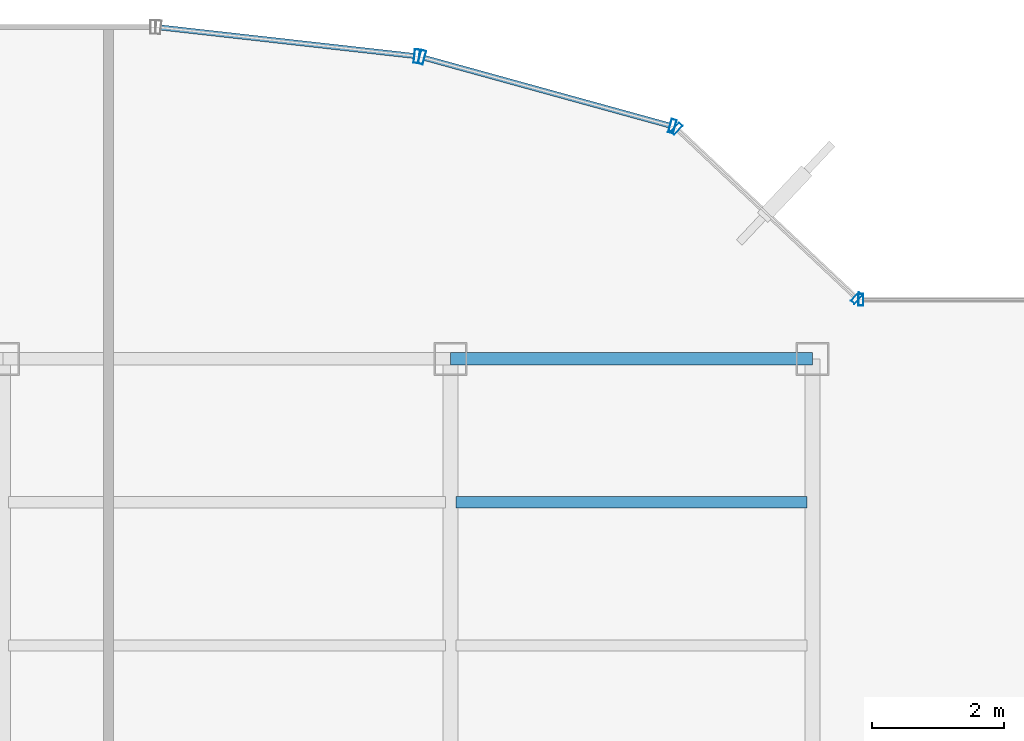
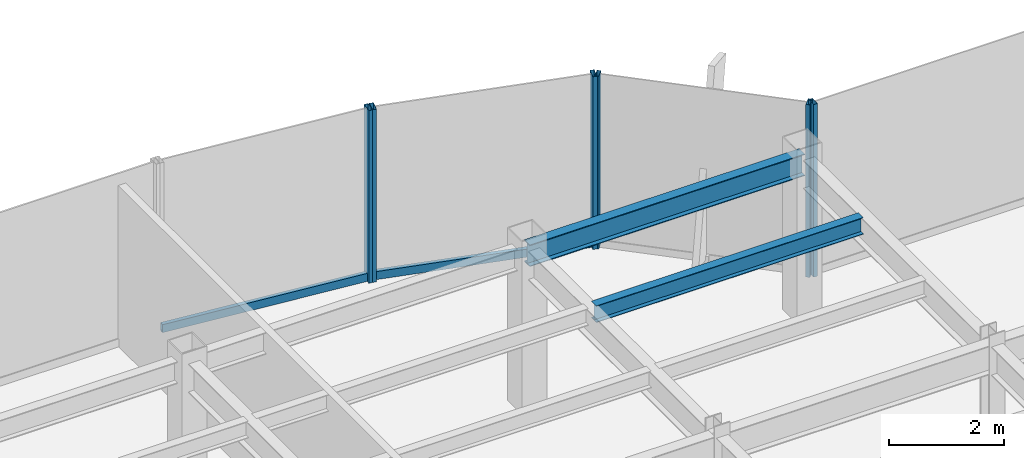
# One storey, part 14 of 22: 8 members, 2 beams, 4 elements without a shape of their own.
"""IFC4 building model written with IfcOpenShell, lengths in metres."""

import ifcopenshell
import ifcopenshell.guid

model = None  # the IFC model being written
_history = None  # IfcOwnerHistory: only IFC2X3 demands one
_inside = {}  # id of a spatial element -> (the spatial element, [elements in it])
_under = {}  # id of a project, library or spatial element -> (it, [spatial elements below it])
_declared = {}  # id of a project -> (the project, [libraries it declares])
_typed = {}  # id of a type object -> (the type object, [elements of that type])
_made_of = {}  # id of a material, layer set ... -> (it, [elements and type objects made of it])


def new_model(schema):
    """Start an empty IFC model of exactly this schema.

    Asked for "IFC4X3", IfcOpenShell would pick the latest addendum, in which some entities
    have other attributes; the version numbers below select the first issue.
    IFC2X3 requires an IfcOwnerHistory on every rooted entity: one is made here for all.
    """
    global model, _history
    if schema == "IFC4X3":
        model = ifcopenshell.file(schema_version=(4, 3, 0, 0))
    else:
        model = ifcopenshell.file(schema=schema)
    _inside.clear()
    _under.clear()
    _declared.clear()
    _typed.clear()
    _made_of.clear()
    _history = None
    if model.schema == "IFC2X3":
        org = make("IfcOrganization", Name="unknown")
        user = make(
            "IfcPersonAndOrganization",
            ThePerson=make("IfcPerson", FamilyName="unknown"),
            TheOrganization=org,
        )
        app = make(
            "IfcApplication",
            ApplicationDeveloper=org,
            Version="unknown",
            ApplicationFullName="unknown",
            ApplicationIdentifier="unknown",
        )
        _history = make(
            "IfcOwnerHistory",
            OwningUser=user,
            OwningApplication=app,
            ChangeAction="ADDED",
            CreationDate=0,
        )
    return model


def make(cls, **values):
    """One entity of the class cls with the attributes given. An attribute that is None is left unset."""
    return model.create_entity(
        cls, **{name: value for name, value in values.items() if value is not None}
    )


def rooted(cls, **values):
    """An entity with a GlobalId (a new one), such as an element, a storey or a relation."""
    return make(cls, GlobalId=ifcopenshell.guid.new(), OwnerHistory=_history, **values)


def si_unit(unit_type, name, prefix=None):
    """IfcSIUnit, for example si_unit("LENGTHUNIT", "METRE", prefix="MILLI")."""
    return make("IfcSIUnit", UnitType=unit_type, Prefix=prefix, Name=name)


def derived_unit(unit_type, elements):
    """IfcDerivedUnit: a product of units, each with its exponent."""
    return make(
        "IfcDerivedUnit",
        Elements=[
            make("IfcDerivedUnitElement", Unit=unit, Exponent=power)
            for unit, power in elements
        ],
        UnitType=unit_type,
    )


def assignment(units):
    """IfcUnitAssignment: the units of a project."""
    return None if units is None else make("IfcUnitAssignment", Units=units)


def point(xyz):
    """IfcCartesianPoint."""
    return None if xyz is None else make("IfcCartesianPoint", Coordinates=xyz)


def direction(xyz):
    """IfcDirection."""
    return None if xyz is None else make("IfcDirection", DirectionRatios=xyz)


def frame(location, z_axis=None, x_axis=None):
    """IfcAxis2Placement3D, a coordinate frame: its origin and axes. An axis left out is left unset."""
    return make(
        "IfcAxis2Placement3D",
        Location=point(location),
        Axis=direction(z_axis),
        RefDirection=direction(x_axis),
    )


def frame_2d(location, x_axis=None):
    """IfcAxis2Placement2D, a coordinate frame in the plane: its origin and x axis."""
    return make(
        "IfcAxis2Placement2D", Location=point(location), RefDirection=direction(x_axis)
    )


def origin():
    """The frame at (0, 0, 0) with its axes left unset."""
    return frame((0.0, 0.0, 0.0))


def origin_2d():
    """The frame at (0, 0) in the plane with its x axis left unset."""
    return frame_2d((0.0, 0.0))


def place(relative_to, where):
    """IfcLocalPlacement: puts the frame where relative to a parent placement (None: the world)."""
    return make(
        "IfcLocalPlacement", PlacementRelTo=relative_to, RelativePlacement=where
    )


def context(
    kind, dimensions, precision=None, world=None, true_north=None, identifier=None
):
    """IfcGeometricRepresentationContext, for example the 3D "Model" context."""
    return make(
        "IfcGeometricRepresentationContext",
        ContextIdentifier=identifier,
        ContextType=kind,
        CoordinateSpaceDimension=dimensions,
        Precision=precision,
        WorldCoordinateSystem=world,
        TrueNorth=true_north,
    )


def subcontext(parent, identifier, kind, view, scale=None):
    """IfcGeometricRepresentationSubContext, for example "Body" below "Model"."""
    return make(
        "IfcGeometricRepresentationSubContext",
        ContextIdentifier=identifier,
        ContextType=kind,
        ParentContext=parent,
        TargetScale=scale,
        TargetView=view,
    )


def project(units=None, contexts=None):
    """IfcProject with its units and contexts."""
    return rooted(
        "IfcProject",
        Name="project",
        RepresentationContexts=contexts,
        UnitsInContext=assignment(units),
    )


def spatial(cls, under=None, at=None, **own):
    """A site, building, storey or space (cls), placed at a placement, below another one or the project."""
    s = rooted(cls, ObjectPlacement=at, **own)
    if under is not None:
        _under.setdefault(under.id(), (under, []))[1].append(s)
    return s


def profile(cls, at=None, kind="AREA", **sizes):
    """A parametric profile (cls). Its sizes go by their IFC names, for example OverallWidth=200.0."""
    return make(cls, ProfileType=kind, Position=at, **sizes)


def hollow_rectangle(**sizes):
    """IfcRectangleHollowProfileDef."""
    return profile("IfcRectangleHollowProfileDef", **sizes)


def i_section(**sizes):
    """IfcIShapeProfileDef."""
    return profile("IfcIShapeProfileDef", **sizes)


def extrude(swept, where, along, depth):
    """IfcExtrudedAreaSolid: the profile swept, set in the frame where, extruded along a direction by depth."""
    return make(
        "IfcExtrudedAreaSolid",
        SweptArea=swept,
        Position=where,
        ExtrudedDirection=direction(along),
        Depth=depth,
    )


def shape(context_of_items, identifier, shape_type, items):
    """IfcShapeRepresentation: the items that make up one representation, for example the "Body"."""
    return make(
        "IfcShapeRepresentation",
        ContextOfItems=context_of_items,
        RepresentationIdentifier=identifier,
        RepresentationType=shape_type,
        Items=items,
    )


def source(mapping_origin, context_of_items, identifier, shape_type, items):
    """IfcRepresentationMap: a shape defined once, which mapped items show again and again."""
    return make(
        "IfcRepresentationMap",
        MappingOrigin=mapping_origin,
        MappedRepresentation=shape(context_of_items, identifier, shape_type, items),
    )


def transform(
    local_origin,
    x_axis=None,
    y_axis=None,
    z_axis=None,
    scale=None,
    scale2=None,
    scale3=None,
    uniform=True,
):
    """IfcCartesianTransformationOperator3D, or its non-uniform kind. x_axis, y_axis, z_axis: its Axis1, 2, 3."""
    if uniform:
        return make(
            "IfcCartesianTransformationOperator3D",
            Axis1=direction(x_axis),
            Axis2=direction(y_axis),
            LocalOrigin=point(local_origin),
            Scale=scale,
            Axis3=direction(z_axis),
        )
    return make(
        "IfcCartesianTransformationOperator3DnonUniform",
        Axis1=direction(x_axis),
        Axis2=direction(y_axis),
        LocalOrigin=point(local_origin),
        Scale=scale,
        Axis3=direction(z_axis),
        Scale2=scale2,
        Scale3=scale3,
    )


def mapped(mapping_source, mapping_target):
    """IfcMappedItem: shows the shape of a source again, moved by a transform."""
    return make(
        "IfcMappedItem", MappingSource=mapping_source, MappingTarget=mapping_target
    )


def material(Name=None, Category=None):
    """IfcMaterial."""
    return make("IfcMaterial", Name=Name, Category=Category)


def material_profile(
    of_material, cross_section, Name=None, Category=None, Priority=None
):
    """IfcMaterialProfile: a cross section and its material."""
    return make(
        "IfcMaterialProfile",
        Name=Name,
        Material=of_material,
        Profile=cross_section,
        Priority=Priority,
        Category=Category,
    )


def profile_set(profiles, Name=None, composite=None):
    """IfcMaterialProfileSet."""
    return make(
        "IfcMaterialProfileSet",
        Name=Name,
        MaterialProfiles=profiles,
        CompositeProfile=composite,
    )


def made_of(thing, what):
    """Note that an element or type object is made of a material, layer set ...; save() writes the relation."""
    if what is not None:
        _made_of.setdefault(what.id(), (what, []))[1].append(thing)
    return thing


def type_object(cls, material=None, **own):
    """A type object (cls), such as IfcWallType, which elements share."""
    return made_of(rooted(cls, **own), material)


def element(
    cls,
    number,
    at=None,
    inside=None,
    cuts=None,
    type_object=None,
    material=None,
    context=None,
    identifier="Body",
    shape_type=None,
    held_by="IfcProductDefinitionShape",
    body=None,
    shapes=None,
    **own,
):
    """One element of the class cls, such as IfcWall. Its Tag is "e" and its number.

    at: its placement. inside: the storey or other place that contains it. cuts: it is an
    opening in that element (IfcRelVoidsElement). A single representation is given by context,
    identifier, shape_type and body (its items); several are given by shapes. held_by: the class
    of the entity that holds the representations. save() writes the other relations.
    """
    e = rooted(cls, Tag="e%d" % number, ObjectPlacement=at, **own)
    if body is not None:
        shapes = [shape(context, identifier, shape_type, body)]
    if shapes is not None:
        e.Representation = make(held_by, Representations=shapes)
    if inside is not None:
        _inside.setdefault(inside.id(), (inside, []))[1].append(e)
    if cuts is not None:
        rooted(
            "IfcRelVoidsElement", RelatingBuildingElement=cuts, RelatedOpeningElement=e
        )
    if type_object is not None:
        _typed.setdefault(type_object.id(), (type_object, []))[1].append(e)
    return made_of(e, material)


def aggregate(whole, parts):
    """IfcRelAggregates: a whole, such as a stair, and the parts it consists of."""
    return rooted("IfcRelAggregates", RelatingObject=whole, RelatedObjects=parts)


def save(model, path):
    """Write the relations noted so far, then the file.

    IfcRelAggregates (storeys below a building ...), IfcRelContainedInSpatialStructure (elements
    in a storey), IfcRelDefinesByType, IfcRelAssociatesMaterial and IfcRelDeclares: one each for
    every whole, place, type object, material and project.
    """
    for whole, parts in _under.values():
        aggregate(whole, parts)
    for where, things in _inside.values():
        rooted(
            "IfcRelContainedInSpatialStructure",
            RelatedElements=things,
            RelatingStructure=where,
        )
    for kind, things in _typed.values():
        rooted("IfcRelDefinesByType", RelatedObjects=things, RelatingType=kind)
    for what, things in _made_of.values():
        rooted("IfcRelAssociatesMaterial", RelatedObjects=things, RelatingMaterial=what)
    for by, libraries in _declared.values():
        rooted("IfcRelDeclares", RelatingContext=by, RelatedDefinitions=libraries)
    model.write(path)


model = new_model("IFC4")

# Units and contexts
model_context = context("Model", 3, precision=1e-05, world=origin(), true_north=direction((0.0, 1.0)))
body_context = subcontext(model_context, "Body", "Model", "MODEL_VIEW")
ifc_project = project(units=[si_unit("LENGTHUNIT", "METRE"), si_unit("AREAUNIT", "SQUARE_METRE"), si_unit("VOLUMEUNIT", "CUBIC_METRE"), si_unit("PLANEANGLEUNIT", "RADIAN"), si_unit("MASSUNIT", "GRAM", prefix="KILO"), derived_unit("THERMALTRANSMITTANCEUNIT", [(si_unit("POWERUNIT", "WATT"), 1), (si_unit("LENGTHUNIT", "METRE"), -2), (si_unit("THERMODYNAMICTEMPERATUREUNIT", "KELVIN"), -1)])], contexts=[model_context])

# Site, building, storey
site_placement = place(None, origin())
site = spatial("IfcSite", under=ifc_project, at=site_placement, CompositionType="ELEMENT")
building_placement = place(site_placement, origin())
building = spatial("IfcBuilding", under=site, at=building_placement, Name="Skarnbrae Concourse Arena and Tower", CompositionType="ELEMENT")
storey_placement = place(building_placement, frame((0.0, 0.0, 214.14990234375)))
storey = spatial("IfcBuildingStorey", under=building, at=storey_placement, Name="L55", CompositionType="ELEMENT", Elevation=214.14990234375)

# Beams
ifc_material_1 = material(Name="Steel CSA G40.21 350W", Category="steel")
ifc_material_profile_1 = material_profile(ifc_material_1, i_section(OverallWidth=0.19091796875, OverallDepth=0.4599609375, WebThickness=0.010009765625, FlangeThickness=0.01611328125, at=origin_2d()), Name="W460X82")
ifc_profile_set_1 = profile_set([ifc_material_profile_1], Name="Steel CSA G40.21 350W")
beam_type_1 = type_object("IfcBeamType", Name="BM-SPAN-W460X82", PredefinedType="SPANDREL", material=ifc_profile_set_1)
shared_shape_1 = source(origin(), body_context, "Body", "SweptSolid", [
    extrude(i_section(OverallWidth=0.19091796875, OverallDepth=0.4599609375, WebThickness=0.010009765625, FlangeThickness=0.01611328125, at=origin_2d()), origin(), (0.0, 0.0, 1.0), 5.5),
])
beam_1_placement = place(storey_placement, frame((28.0, 34.39990234375, 3.170166015625), z_axis=(1.0, 0.0, 0.0), x_axis=(0.0, 1.0, 0.0)))
element("IfcBeam", 1, at=beam_1_placement, inside=storey, type_object=beam_type_1, Name="L55 Perimeter spandrel Y34.4-4", PredefinedType="SPANDREL", context=body_context, shape_type="MappedRepresentation", body=[
    mapped(shared_shape_1, transform((0.0, 0.0, 0.0))),
])
ifc_material_profile_2 = material_profile(ifc_material_1, i_section(OverallWidth=0.1708984375, OverallDepth=0.35498046875, WebThickness=0.007080078125, FlangeThickness=0.01171875, at=origin_2d()), Name="W360X51")
ifc_profile_set_2 = profile_set([ifc_material_profile_2], Name="Steel CSA G40.21 350W")
beam_type_2 = type_object("IfcBeamType", Name="BM-JOIST-W360X51", PredefinedType="JOIST", material=ifc_profile_set_2)
shared_shape_2 = source(origin(), body_context, "Body", "SweptSolid", [
    extrude(i_section(OverallWidth=0.1708984375, OverallDepth=0.35498046875, WebThickness=0.007080078125, FlangeThickness=0.01171875, at=origin_2d()), origin(), (0.0, 0.0, 1.0), 5.33984375),
])
beam_2_placement = place(storey_placement, frame((28.080078125, 32.221923828125, 3.22265625), z_axis=(1.0, 0.0, 0.0), x_axis=(0.0, 1.0, 0.0)))
element("IfcBeam", 2, at=beam_2_placement, inside=storey, type_object=beam_type_2, Name="L55 Secondary floor joist 3.2.4", PredefinedType="JOIST", context=body_context, shape_type="MappedRepresentation", body=[
    mapped(shared_shape_2, transform((0.0, 0.0, 0.0))),
])

# Curtain wall, members
ifc_material_2 = material(Name="Bronze anodised aluminium 6063-T6", Category="aluminium")
curtain_wall_type_1 = type_object("IfcCurtainWallType", Name="CW-SYS-03-PORTAL", PredefinedType="USERDEFINED", material=ifc_material_2)
curtain_wall_1_placement = place(storey_placement, origin())
curtain_wall_1 = element("IfcCurtainWall", 3, at=curtain_wall_1_placement, inside=storey, type_object=curtain_wall_type_1, Name="L55 Unitised curtain wall CW-L55-E09", ObjectType="UNITISED CURTAIN WALL", PredefinedType="USERDEFINED")
ifc_material_profile_3 = material_profile(ifc_material_2, hollow_rectangle(XDim=0.080078125, YDim=0.2099609375, WallThickness=0.00439453125, at=origin_2d()), Name="ALU-MULL-80X210")
ifc_profile_set_3 = profile_set([ifc_material_profile_3], Name="Bronze anodised aluminium 6063-T6")
member_type_1 = type_object("IfcMemberType", Name="CWM-CW-03", PredefinedType="MULLION", material=ifc_profile_set_3)
shared_shape_3 = source(origin(), body_context, "Body", "SweptSolid", [
    extrude(hollow_rectangle(XDim=0.080078125, YDim=0.2099609375, WallThickness=0.00439453125, at=origin_2d()), origin(), (0.0, 0.0, 1.0), 3.650146484375),
])
member_1_placement = place(storey_placement, frame((31.37109375, 37.937255859375, 0.0), z_axis=(0.0, 0.0, 1.0), x_axis=(-0.964057388766, 0.265694093207, 0.0)))
member_1 = element("IfcMember", 4, at=member_1_placement, type_object=member_type_1, Name="CW-L55-E09 Mullion 1", PredefinedType="MULLION", context=body_context, shape_type="MappedRepresentation", body=[
    mapped(shared_shape_3, transform((0.0, 0.0, 0.0))),
])
member_2_placement = place(storey_placement, frame((27.564453125, 38.986572265625, 0.0), z_axis=(0.0, 0.0, 1.0), x_axis=(-0.964057388766, 0.265694093207, 0.0)))
member_2 = element("IfcMember", 5, at=member_2_placement, type_object=member_type_1, Name="CW-L55-E09 Mullion 2", PredefinedType="MULLION", context=body_context, shape_type="MappedRepresentation", body=[
    mapped(shared_shape_3, transform((0.0, 0.0, 0.0))),
])

# Curtain wall, member
curtain_wall_2_placement = place(storey_placement, origin())
curtain_wall_2 = element("IfcCurtainWall", 6, at=curtain_wall_2_placement, inside=storey, type_object=curtain_wall_type_1, Name="L55 Unitised curtain wall CW-L55-E10", ObjectType="UNITISED CURTAIN WALL", PredefinedType="USERDEFINED")
member_3_placement = place(storey_placement, frame((27.486083984375, 39.001708984375, 0.0), z_axis=(0.0, 0.0, 1.0), x_axis=(-0.993768891873, 0.111460259941, 0.0)))
member_3 = element("IfcMember", 7, at=member_3_placement, type_object=member_type_1, Name="CW-L55-E10 Mullion 1", PredefinedType="MULLION", context=body_context, shape_type="MappedRepresentation", body=[
    mapped(shared_shape_3, transform((0.0, 0.0, 0.0))),
])

curtain_wall_type_2 = type_object("IfcCurtainWallType", Name="CW-SYS-05-HIGHZONE", PredefinedType="USERDEFINED", material=ifc_material_2)
curtain_wall_3_placement = place(storey_placement, origin())
curtain_wall_3 = element("IfcCurtainWall", 8, at=curtain_wall_3_placement, inside=storey, type_object=curtain_wall_type_2, Name="L55 Unitised curtain wall CW-L55-E07", ObjectType="UNITISED CURTAIN WALL", PredefinedType="USERDEFINED")
ifc_material_profile_4 = material_profile(ifc_material_2, hollow_rectangle(XDim=0.074951171875, YDim=0.179931640625, WallThickness=0.00390625, at=origin_2d()), Name="ALU-MULL-75X180")
ifc_profile_set_4 = profile_set([ifc_material_profile_4], Name="Bronze anodised aluminium 6063-T6")
member_type_2 = type_object("IfcMemberType", Name="CWM-CW-05", PredefinedType="MULLION", material=ifc_profile_set_4)
shared_shape_4 = source(origin(), body_context, "Body", "SweptSolid", [
    extrude(hollow_rectangle(XDim=0.074951171875, YDim=0.179931640625, WallThickness=0.00390625, at=origin_2d()), origin(), (0.0, 0.0, 1.0), 3.650146484375),
])
member_4_placement = place(storey_placement, frame((34.237548828125, 35.300048828125, 0.0), z_axis=(0.0, 0.0, 1.0), x_axis=(-1.0, 0.0, 0.0)))
member_4 = element("IfcMember", 9, at=member_4_placement, type_object=member_type_2, Name="CW-L55-E07 Mullion 2", PredefinedType="MULLION", context=body_context, shape_type="MappedRepresentation", body=[
    mapped(shared_shape_4, transform((0.0, 0.0, 0.0))),
])
aggregate(curtain_wall_3, [member_4])

# Curtain wall, members
curtain_wall_4_placement = place(storey_placement, origin())
curtain_wall_4 = element("IfcCurtainWall", 10, at=curtain_wall_4_placement, inside=storey, type_object=curtain_wall_type_2, Name="L55 Unitised curtain wall CW-L55-E08", ObjectType="UNITISED CURTAIN WALL", PredefinedType="USERDEFINED")
member_5_placement = place(storey_placement, frame((34.172607421875, 35.32568359375, 0.0), z_axis=(0.0, 0.0, 1.0), x_axis=(-0.728130555214, 0.685438468838, 0.0)))
member_5 = element("IfcMember", 11, at=member_5_placement, type_object=member_type_2, Name="CW-L55-E08 Mullion 1", PredefinedType="MULLION", context=body_context, shape_type="MappedRepresentation", body=[
    mapped(shared_shape_4, transform((0.0, 0.0, 0.0))),
])
member_6_placement = place(storey_placement, frame((31.43701171875, 37.90087890625, 0.0), z_axis=(0.0, 0.0, 1.0), x_axis=(-0.728130555214, 0.685438468838, 0.0)))
member_6 = element("IfcMember", 12, at=member_6_placement, type_object=member_type_2, Name="CW-L55-E08 Mullion 2", PredefinedType="MULLION", context=body_context, shape_type="MappedRepresentation", body=[
    mapped(shared_shape_4, transform((0.0, 0.0, 0.0))),
])
aggregate(curtain_wall_4, [member_5, member_6])

# Member
ifc_material_profile_5 = material_profile(ifc_material_2, hollow_rectangle(XDim=0.080078125, YDim=0.169921875, WallThickness=0.00439453125, at=origin_2d()), Name="ALU-TRAN-80X170")
ifc_profile_set_5 = profile_set([ifc_material_profile_5], Name="Bronze anodised aluminium 6063-T6")
member_type_3 = type_object("IfcMemberType", Name="CWT-CW-03", PredefinedType="USERDEFINED", material=ifc_profile_set_5)
shared_shape_5 = source(origin(), body_context, "Body", "SweptSolid", [
    extrude(hollow_rectangle(XDim=0.080078125, YDim=0.169921875, WallThickness=0.00439453125, at=origin_2d()), origin(), (0.0, 0.0, 1.0), 3.86865234375),
])
member_7_placement = place(storey_placement, frame((31.33251953125, 37.947998046875, 0.085205078125), z_axis=(-0.964062872218, 0.265674195983, 0.0), x_axis=(-0.265674195983, -0.964062872218, 0.0)))
member_7 = element("IfcMember", 13, at=member_7_placement, type_object=member_type_3, Name="CW-L55-E09 Transom 1", ObjectType="TRANSOM", PredefinedType="USERDEFINED", context=body_context, shape_type="MappedRepresentation", body=[
    mapped(shared_shape_5, transform((0.0, 0.0, 0.0))),
])

aggregate(curtain_wall_1, [member_1, member_2, member_7])

shared_shape_6 = source(origin(), body_context, "Body", "SweptSolid", [
    extrude(hollow_rectangle(XDim=0.080078125, YDim=0.169921875, WallThickness=0.00439453125, at=origin_2d()), origin(), (0.0, 0.0, 1.0), 3.873779296875),
])
member_8_placement = place(storey_placement, frame((27.4462890625, 39.006103515625, 0.085205078125), z_axis=(-0.993772558096, 0.111427567397, 0.0), x_axis=(-0.111427567397, -0.993772558096, 0.0)))
member_8 = element("IfcMember", 14, at=member_8_placement, type_object=member_type_3, Name="CW-L55-E10 Transom 1", ObjectType="TRANSOM", PredefinedType="USERDEFINED", context=body_context, shape_type="MappedRepresentation", body=[
    mapped(shared_shape_6, transform((0.0, 0.0, 0.0))),
])

aggregate(curtain_wall_2, [member_3, member_8])

save(model, "model.ifc")
